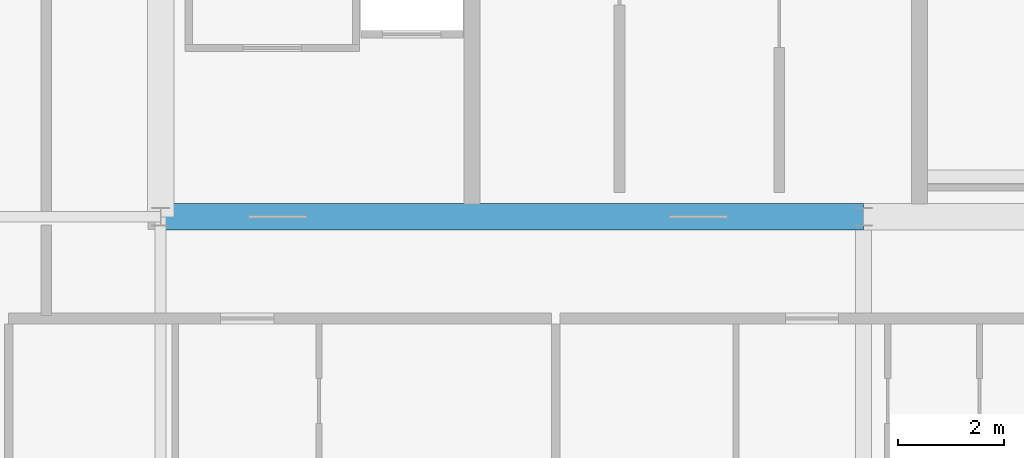
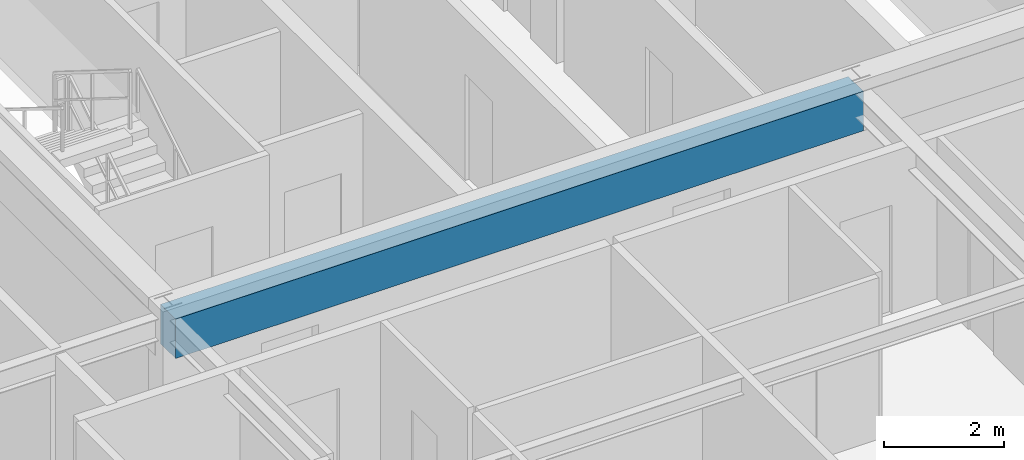
# One storey, part 7 of 35: 1 beam.
"""IFC4 building model written with IfcOpenShell, lengths in metres."""

from ifc_helpers import new_model, si_unit, direction, frame, origin, origin_2d, place, context, subcontext, project, spatial, rectangle, extrude, source, transform, mapped, material, material_profile, profile_set, type_object, element, save


model = new_model("IFC4")

# Units and contexts
model_context = context("Model", 3, precision=1e-05, world=origin(), true_north=direction((0.0, 1.0)))
body_context = subcontext(model_context, "Body", "Model", "MODEL_VIEW")
ifc_project = project(units=[si_unit("LENGTHUNIT", "METRE"), si_unit("AREAUNIT", "SQUARE_METRE"), si_unit("VOLUMEUNIT", "CUBIC_METRE"), si_unit("PLANEANGLEUNIT", "RADIAN"), si_unit("MASSUNIT", "GRAM", prefix="KILO"), si_unit("THERMODYNAMICTEMPERATUREUNIT", "KELVIN"), si_unit("POWERUNIT", "WATT")], contexts=[model_context])

# Site, building, storey
site_placement = place(None, origin())
site = spatial("IfcSite", under=ifc_project, at=site_placement, CompositionType="ELEMENT")
building_placement = place(site_placement, origin())
building = spatial("IfcBuilding", under=site, at=building_placement, Name="Yuzanri Waterfront Tower", CompositionType="ELEMENT")
storey_placement = place(building_placement, frame((0.0, 0.0, 318.199951171875)))
storey = spatial("IfcBuildingStorey", under=building, at=storey_placement, Name="L85", CompositionType="ELEMENT", Elevation=318.199951171875)

# Beam
ifc_material = material(Name="Concrete C50", Category="concrete")
ifc_material_profile = material_profile(ifc_material, rectangle(XDim=0.5, YDim=0.800048828125, at=origin_2d()), Name="RC 500x800")
ifc_profile_set = profile_set([ifc_material_profile], Name="Concrete C50")
beam_type = type_object("IfcBeamType", Name="Core Coupling Lintel Concrete C50 500x800", PredefinedType="LINTEL", material=ifc_profile_set)
shared_shape = source(origin(), body_context, "Body", "SweptSolid", [
    extrude(rectangle(XDim=0.5, YDim=0.800048828125, at=origin_2d()), origin(), (0.0, 0.0, 1.0), 13.199951171875),
])
beam_placement = place(storey_placement, frame((23.800048828125, 19.39990234375, 2.880126953125), z_axis=(1.0, 0.0, 0.0), x_axis=(0.0, 1.0, 0.0)))
element("IfcBeam", 1, at=beam_placement, inside=storey, type_object=beam_type, Name="L85 Core Tie Beam CS1", PredefinedType="LINTEL", context=body_context, shape_type="MappedRepresentation", body=[
    mapped(shared_shape, transform((0.0, 0.0, 0.0), scale=1.0)),
])

save(model, "model.ifc")
